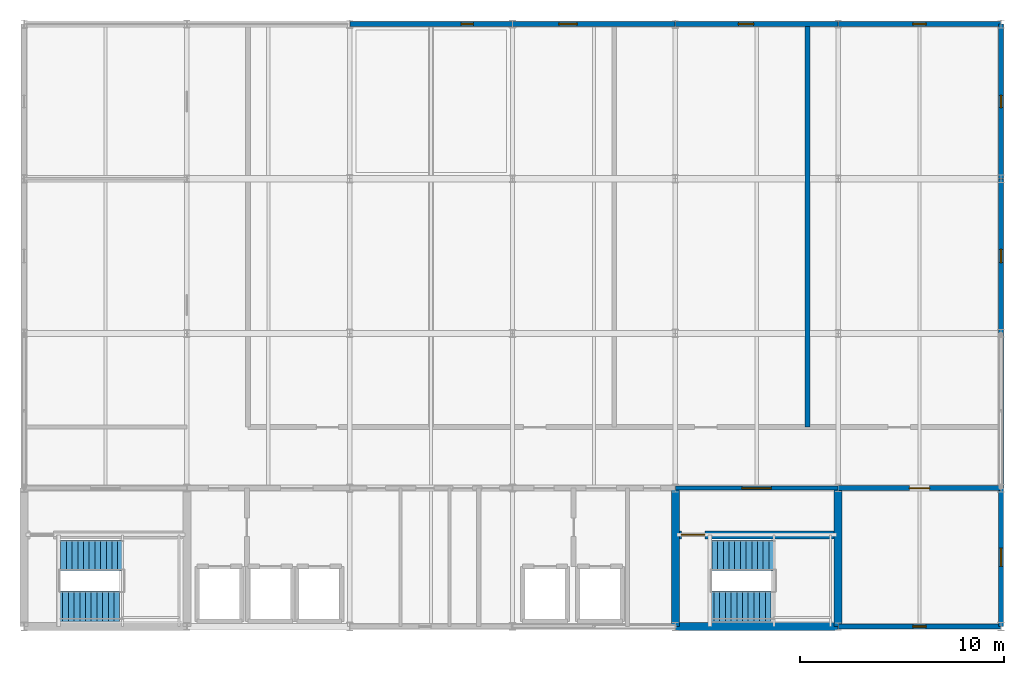
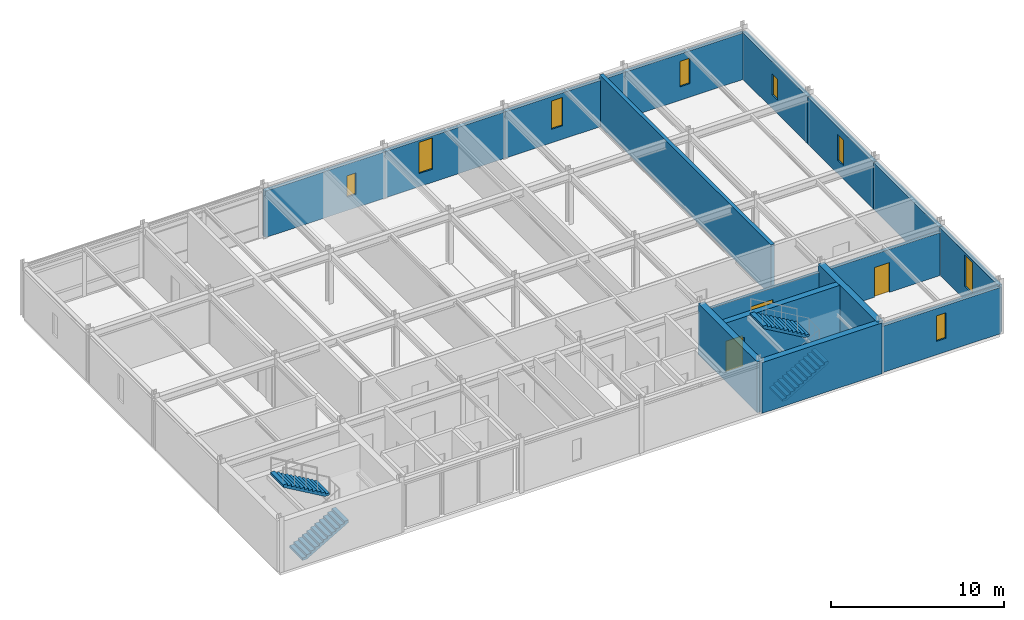
# One storey, part 8 of 9: 16 walls, 8 windows, 4 stair flights, 3 doors, 11 openings, 2 elements without a shape of their own.
"""IFC4 building model written with IfcOpenShell, lengths in metres."""

from ifc_helpers import new_model, si_unit, direction, frame, frame_2d, origin, place, context, subcontext, project, spatial, polyline, rectangle, outline, extrude, material, layer, layer_set, type_object, element, fill, aggregate, save


model = new_model("IFC4")

# Units and contexts
model_context = context("Model", 3, precision=1e-05, world=origin(), true_north=direction((0.0, 1.0)))
body_context = subcontext(model_context, "Body", "Model", "MODEL_VIEW")
ifc_project = project(units=[si_unit("LENGTHUNIT", "METRE"), si_unit("AREAUNIT", "SQUARE_METRE"), si_unit("VOLUMEUNIT", "CUBIC_METRE"), si_unit("PLANEANGLEUNIT", "RADIAN"), si_unit("MASSUNIT", "GRAM", prefix="KILO")], contexts=[model_context])

# Site, building, storey
site_placement = place(None, origin())
site = spatial("IfcSite", under=ifc_project, at=site_placement, CompositionType="ELEMENT")
building_placement = place(site_placement, origin())
building = spatial("IfcBuilding", under=site, at=building_placement, Name="Shalkamar Park Central Library", CompositionType="ELEMENT")
storey_placement = place(building_placement, frame((0.0, 0.0, 60.0)))
storey = spatial("IfcBuildingStorey", under=building, at=storey_placement, Name="L15", CompositionType="ELEMENT", Elevation=60.0)

# Wall, opening, window
ifc_material_1 = material(Name="Terracotta insulated masonry", Category="masonry")
ifc_layer_1 = layer(ifc_material_1, 0.260009765625)
ifc_layer_set_1 = layer_set([ifc_layer_1], Name="ArchiveInsulatedFacadeWall_260")
wall_type_1 = type_object("IfcWallType", Name="Archive Insulated Facade Wall 260", PredefinedType="SOLIDWALL", material=ifc_layer_set_1)
wall_1_placement = place(storey_placement, frame((205.006103515625, 248.39990234375, 0.0), z_axis=(0.0, 0.0, 1.0), x_axis=(1.0, 0.0, 0.0)))
wall_1 = element("IfcWall", 1, at=wall_1_placement, inside=storey, type_object=wall_type_1, Name="Exterior Facade Wall WL-EXT-L15-260", PredefinedType="SOLIDWALL", context=body_context, shape_type="SweptSolid", body=[
    extrude(rectangle(XDim=7.98779296875, YDim=0.260009765625, at=frame_2d((3.993896484375, 0.0))), origin(), (0.0, 0.0, 1.0), 3.26806640625),
])
opening_1_placement = place(wall_1_placement, frame((3.6689453125, 0.0, 0.949951171875)))
opening_1 = element("IfcOpeningElement", 2, at=opening_1_placement, cuts=wall_1, Name="Opening WN-19", PredefinedType="OPENING", context=body_context, shape_type="SweptSolid", body=[
    extrude(rectangle(XDim=0.64990234375, YDim=1.800048828125, at=frame_2d((0.324951171875, 0.89990234375))), frame((0.0, 0.14501953125, 0.0), z_axis=(0.0, -1.0, 0.0), x_axis=(1.0, 0.0, 0.0)), (0.0, 0.0, 1.0), 0.289794921875),
])
ifc_material_2 = material(Name="Thermally broken aluminium and triple low-e glass", Category="glass")
window_type_1 = type_object("IfcWindowType", Name="Archive Slit Window 650x1800", PartitioningType="SINGLE_PANEL", PredefinedType="WINDOW", material=ifc_material_2)
window_1_placement = place(opening_1_placement, origin())
window_1 = element("IfcWindow", 3, at=window_1_placement, inside=storey, type_object=window_type_1, Name="Facade Window WN-L15-190", OverallHeight=1.800048828125, OverallWidth=0.64990234375, PartitioningType="SINGLE_PANEL", PredefinedType="WINDOW", context=body_context, shape_type="SweptSolid", body=[
    extrude(rectangle(XDim=0.64990234375, YDim=1.800048828125, at=frame_2d((0.324951171875, 0.89990234375))), frame((0.0, 0.030029296875, 0.0), z_axis=(0.0, -1.0, 0.0), x_axis=(1.0, 0.0, 0.0)), (0.0, 0.0, 1.0), 0.06005859375),
])
fill(opening_1, window_1)

wall_2_placement = place(storey_placement, frame((181.006103515625, 278.0, 0.0), z_axis=(0.0, 0.0, 1.0), x_axis=(1.0, 0.0, 0.0)))
wall_2 = element("IfcWall", 4, at=wall_2_placement, inside=storey, type_object=wall_type_1, Name="Exterior Facade Wall WL-EXT-L15-261", PredefinedType="SOLIDWALL", context=body_context, shape_type="SweptSolid", body=[
    extrude(rectangle(XDim=7.98779296875, YDim=0.260009765625, at=frame_2d((3.993896484375, 0.0))), origin(), (0.0, 0.0, 1.0), 3.26806640625),
])
opening_2_placement = place(wall_2_placement, frame((5.466064453125, 0.0, 0.949951171875)))
opening_2 = element("IfcOpeningElement", 5, at=opening_2_placement, cuts=wall_2, Name="Opening WN-20", PredefinedType="OPENING", context=body_context, shape_type="SweptSolid", body=[
    extrude(rectangle(XDim=0.60009765625, YDim=1.5, at=frame_2d((0.300048828125, 0.75))), frame((0.0, 0.14501953125, 0.0), z_axis=(0.0, -1.0, 0.0), x_axis=(1.0, 0.0, 0.0)), (0.0, 0.0, 1.0), 0.289794921875),
])
window_type_2 = type_object("IfcWindowType", Name="Archive Slit Window 600x1500", PartitioningType="SINGLE_PANEL", PredefinedType="WINDOW", material=ifc_material_2)
window_2_placement = place(opening_2_placement, origin())
window_2 = element("IfcWindow", 6, at=window_2_placement, inside=storey, type_object=window_type_2, Name="Facade Window WN-L15-191", OverallHeight=1.5, OverallWidth=0.60009765625, PartitioningType="SINGLE_PANEL", PredefinedType="WINDOW", context=body_context, shape_type="SweptSolid", body=[
    extrude(rectangle(XDim=0.60009765625, YDim=1.5, at=frame_2d((0.300048828125, 0.75))), frame((0.0, 0.030029296875, 0.0), z_axis=(0.0, -1.0, 0.0), x_axis=(1.0, 0.0, 0.0)), (0.0, 0.0, 1.0), 0.06005859375),
])
fill(opening_2, window_2)

wall_3_placement = place(storey_placement, frame((189.006103515625, 278.0, 0.0), z_axis=(0.0, 0.0, 1.0), x_axis=(1.0, 0.0, 0.0)))
wall_3 = element("IfcWall", 7, at=wall_3_placement, inside=storey, type_object=wall_type_1, Name="Exterior Facade Wall WL-EXT-L15-262", PredefinedType="SOLIDWALL", context=body_context, shape_type="SweptSolid", body=[
    extrude(rectangle(XDim=7.98779296875, YDim=0.260009765625, at=frame_2d((3.993896484375, 0.0))), origin(), (0.0, 0.0, 1.0), 3.26806640625),
])
opening_3_placement = place(wall_3_placement, frame((2.27197265625, 0.0, 0.927978515625)))
opening_3 = element("IfcOpeningElement", 8, at=opening_3_placement, cuts=wall_3, Name="Opening WN-17", PredefinedType="OPENING", context=body_context, shape_type="SweptSolid", body=[
    extrude(rectangle(XDim=0.89990234375, YDim=2.199951171875, at=frame_2d((0.449951171875, 1.10009765625))), frame((0.0, 0.14501953125, 0.0), z_axis=(0.0, -1.0, 0.0), x_axis=(1.0, 0.0, 0.0)), (0.0, 0.0, 1.0), 0.289794921875),
])
window_type_3 = type_object("IfcWindowType", Name="Archive Slit Window 900x2200", PartitioningType="SINGLE_PANEL", PredefinedType="WINDOW", material=ifc_material_2)
window_3_placement = place(opening_3_placement, origin())
window_3 = element("IfcWindow", 9, at=window_3_placement, inside=storey, type_object=window_type_3, Name="Facade Window WN-L15-192", OverallHeight=2.199951171875, OverallWidth=0.89990234375, PartitioningType="SINGLE_PANEL", PredefinedType="WINDOW", context=body_context, shape_type="SweptSolid", body=[
    extrude(rectangle(XDim=0.89990234375, YDim=2.199951171875, at=frame_2d((0.449951171875, 1.10009765625))), frame((0.0, 0.030029296875, 0.0), z_axis=(0.0, -1.0, 0.0), x_axis=(1.0, 0.0, 0.0)), (0.0, 0.0, 1.0), 0.06005859375),
])
fill(opening_3, window_3)

wall_4_placement = place(storey_placement, frame((197.006103515625, 278.0, 0.0), z_axis=(0.0, 0.0, 1.0), x_axis=(1.0, 0.0, 0.0)))
wall_4 = element("IfcWall", 10, at=wall_4_placement, inside=storey, type_object=wall_type_1, Name="Exterior Facade Wall WL-EXT-L15-263", PredefinedType="SOLIDWALL", context=body_context, shape_type="SweptSolid", body=[
    extrude(rectangle(XDim=7.98779296875, YDim=0.260009765625, at=frame_2d((3.993896484375, 0.0))), origin(), (0.0, 0.0, 1.0), 3.26806640625),
])
opening_4_placement = place(wall_4_placement, frame((3.096923828125, 0.0, 0.949951171875)))
opening_4 = element("IfcOpeningElement", 11, at=opening_4_placement, cuts=wall_4, Name="Opening WN-18", PredefinedType="OPENING", context=body_context, shape_type="SweptSolid", body=[
    extrude(rectangle(XDim=0.75, YDim=2.0, at=frame_2d((0.375, 1.0))), frame((0.0, 0.14501953125, 0.0), z_axis=(0.0, -1.0, 0.0), x_axis=(1.0, 0.0, 0.0)), (0.0, 0.0, 1.0), 0.289794921875),
])
window_type_4 = type_object("IfcWindowType", Name="Archive Slit Window 750x2000", PartitioningType="SINGLE_PANEL", PredefinedType="WINDOW", material=ifc_material_2)
window_4_placement = place(opening_4_placement, origin())
window_4 = element("IfcWindow", 12, at=window_4_placement, inside=storey, type_object=window_type_4, Name="Facade Window WN-L15-193", OverallHeight=2.0, OverallWidth=0.75, PartitioningType="SINGLE_PANEL", PredefinedType="WINDOW", context=body_context, shape_type="SweptSolid", body=[
    extrude(rectangle(XDim=0.75, YDim=2.0, at=frame_2d((0.375, 1.0))), frame((0.0, 0.030029296875, 0.0), z_axis=(0.0, -1.0, 0.0), x_axis=(1.0, 0.0, 0.0)), (0.0, 0.0, 1.0), 0.06005859375),
])
fill(opening_4, window_4)

wall_5_placement = place(storey_placement, frame((205.006103515625, 278.0, 0.0), z_axis=(0.0, 0.0, 1.0), x_axis=(1.0, 0.0, 0.0)))
wall_5 = element("IfcWall", 13, at=wall_5_placement, inside=storey, type_object=wall_type_1, Name="Exterior Facade Wall WL-EXT-L15-264", PredefinedType="SOLIDWALL", context=body_context, shape_type="SweptSolid", body=[
    extrude(rectangle(XDim=7.98779296875, YDim=0.260009765625, at=frame_2d((3.993896484375, 0.0))), origin(), (0.0, 0.0, 1.0), 3.26806640625),
])
opening_5_placement = place(wall_5_placement, frame((3.6689453125, 0.0, 0.949951171875)))
opening_5 = element("IfcOpeningElement", 14, at=opening_5_placement, cuts=wall_5, Name="Opening WN-19", PredefinedType="OPENING", context=body_context, shape_type="SweptSolid", body=[
    extrude(rectangle(XDim=0.64990234375, YDim=1.800048828125, at=frame_2d((0.324951171875, 0.89990234375))), frame((0.0, 0.14501953125, 0.0), z_axis=(0.0, -1.0, 0.0), x_axis=(1.0, 0.0, 0.0)), (0.0, 0.0, 1.0), 0.289794921875),
])
window_5_placement = place(opening_5_placement, origin())
window_5 = element("IfcWindow", 15, at=window_5_placement, inside=storey, type_object=window_type_1, Name="Facade Window WN-L15-194", OverallHeight=1.800048828125, OverallWidth=0.64990234375, PartitioningType="SINGLE_PANEL", PredefinedType="WINDOW", context=body_context, shape_type="SweptSolid", body=[
    extrude(rectangle(XDim=0.64990234375, YDim=1.800048828125, at=frame_2d((0.324951171875, 0.89990234375))), frame((0.0, 0.030029296875, 0.0), z_axis=(0.0, -1.0, 0.0), x_axis=(1.0, 0.0, 0.0)), (0.0, 0.0, 1.0), 0.06005859375),
])
fill(opening_5, window_5)

wall_6_placement = place(storey_placement, frame((213.0, 248.406005859375, 0.0), z_axis=(0.0, 0.0, 1.0), x_axis=(0.0, 1.0, 0.0)))
wall_6 = element("IfcWall", 16, at=wall_6_placement, inside=storey, type_object=wall_type_1, Name="Exterior Facade Wall WL-EXT-L15-268", PredefinedType="SOLIDWALL", context=body_context, shape_type="SweptSolid", body=[
    extrude(rectangle(XDim=6.7880859375, YDim=0.260009765625, at=frame_2d((3.39404296875, 0.0))), origin(), (0.0, 0.0, 1.0), 3.347900390625),
])
opening_6_placement = place(wall_6_placement, frame((2.944091796875, 0.0, 0.949951171875)))
opening_6 = element("IfcOpeningElement", 17, at=opening_6_placement, cuts=wall_6, Name="Opening WN-17", PredefinedType="OPENING", context=body_context, shape_type="SweptSolid", body=[
    extrude(rectangle(XDim=0.89990234375, YDim=2.199951171875, at=frame_2d((0.449951171875, 1.10009765625))), frame((0.0, 0.14501953125, 0.0), z_axis=(0.0, -1.0, 0.0), x_axis=(1.0, 0.0, 0.0)), (0.0, 0.0, 1.0), 0.289794921875),
])
window_6_placement = place(opening_6_placement, origin())
window_6 = element("IfcWindow", 18, at=window_6_placement, inside=storey, type_object=window_type_3, Name="Facade Window WN-L15-197", OverallHeight=2.199951171875, OverallWidth=0.89990234375, PartitioningType="SINGLE_PANEL", PredefinedType="WINDOW", context=body_context, shape_type="SweptSolid", body=[
    extrude(rectangle(XDim=0.89990234375, YDim=2.199951171875, at=frame_2d((0.449951171875, 1.10009765625))), frame((0.0, 0.030029296875, 0.0), z_axis=(0.0, -1.0, 0.0), x_axis=(1.0, 0.0, 0.0)), (0.0, 0.0, 1.0), 0.06005859375),
])
fill(opening_6, window_6)

# Wall
wall_7_placement = place(storey_placement, frame((213.0, 255.2060546875, 0.0), z_axis=(0.0, 0.0, 1.0), x_axis=(0.0, 1.0, 0.0)))
element("IfcWall", 19, at=wall_7_placement, inside=storey, type_object=wall_type_1, Name="Exterior Facade Wall WL-EXT-L15-269", PredefinedType="SOLIDWALL", context=body_context, shape_type="SweptSolid", body=[
    extrude(rectangle(XDim=7.587890625, YDim=0.260009765625, at=frame_2d((3.7939453125, 0.0))), origin(), (0.0, 0.0, 1.0), 3.30810546875),
])

# Wall, opening, window
wall_8_placement = place(storey_placement, frame((213.0, 262.805908203125, 0.0), z_axis=(0.0, 0.0, 1.0), x_axis=(0.0, 1.0, 0.0)))
wall_8 = element("IfcWall", 20, at=wall_8_placement, inside=storey, type_object=wall_type_1, Name="Exterior Facade Wall WL-EXT-L15-270", PredefinedType="SOLIDWALL", context=body_context, shape_type="SweptSolid", body=[
    extrude(rectangle(XDim=7.588134765625, YDim=0.260009765625, at=frame_2d((3.7939453125, 0.0))), origin(), (0.0, 0.0, 1.0), 3.30810546875),
])
opening_7_placement = place(wall_8_placement, frame((3.468994140625, 0.0, 0.949951171875)))
opening_7 = element("IfcOpeningElement", 21, at=opening_7_placement, cuts=wall_8, Name="Opening WN-19", PredefinedType="OPENING", context=body_context, shape_type="SweptSolid", body=[
    extrude(rectangle(XDim=0.64990234375, YDim=1.800048828125, at=frame_2d((0.324951171875, 0.89990234375))), frame((0.0, 0.14501953125, 0.0), z_axis=(0.0, -1.0, 0.0), x_axis=(1.0, 0.0, 0.0)), (0.0, 0.0, 1.0), 0.289794921875),
])
window_7_placement = place(opening_7_placement, origin())
window_7 = element("IfcWindow", 22, at=window_7_placement, inside=storey, type_object=window_type_1, Name="Facade Window WN-L15-198", OverallHeight=1.800048828125, OverallWidth=0.64990234375, PartitioningType="SINGLE_PANEL", PredefinedType="WINDOW", context=body_context, shape_type="SweptSolid", body=[
    extrude(rectangle(XDim=0.64990234375, YDim=1.800048828125, at=frame_2d((0.324951171875, 0.89990234375))), frame((0.0, 0.030029296875, 0.0), z_axis=(0.0, -1.0, 0.0), x_axis=(1.0, 0.0, 0.0)), (0.0, 0.0, 1.0), 0.06005859375),
])
fill(opening_7, window_7)

wall_9_placement = place(storey_placement, frame((213.0, 270.406005859375, 0.0), z_axis=(0.0, 0.0, 1.0), x_axis=(0.0, 1.0, 0.0)))
wall_9 = element("IfcWall", 23, at=wall_9_placement, inside=storey, type_object=wall_type_1, Name="Exterior Facade Wall WL-EXT-L15-271", PredefinedType="SOLIDWALL", context=body_context, shape_type="SweptSolid", body=[
    extrude(rectangle(XDim=7.587890625, YDim=0.260009765625, at=frame_2d((3.7939453125, 0.0))), origin(), (0.0, 0.0, 1.0), 3.30810546875),
])
opening_8_placement = place(wall_9_placement, frame((3.493896484375, 0.0, 0.949951171875)))
opening_8 = element("IfcOpeningElement", 24, at=opening_8_placement, cuts=wall_9, Name="Opening WN-20", PredefinedType="OPENING", context=body_context, shape_type="SweptSolid", body=[
    extrude(rectangle(XDim=0.60009765625, YDim=1.5, at=frame_2d((0.300048828125, 0.75))), frame((0.0, 0.14501953125, 0.0), z_axis=(0.0, -1.0, 0.0), x_axis=(1.0, 0.0, 0.0)), (0.0, 0.0, 1.0), 0.289794921875),
])
window_8_placement = place(opening_8_placement, origin())
window_8 = element("IfcWindow", 25, at=window_8_placement, inside=storey, type_object=window_type_2, Name="Facade Window WN-L15-199", OverallHeight=1.5, OverallWidth=0.60009765625, PartitioningType="SINGLE_PANEL", PredefinedType="WINDOW", context=body_context, shape_type="SweptSolid", body=[
    extrude(rectangle(XDim=0.60009765625, YDim=1.5, at=frame_2d((0.300048828125, 0.75))), frame((0.0, 0.030029296875, 0.0), z_axis=(0.0, -1.0, 0.0), x_axis=(1.0, 0.0, 0.0)), (0.0, 0.0, 1.0), 0.06005859375),
])
fill(opening_8, window_8)

# Wall, opening, door
ifc_material_3 = material(Name="Reinforced fire-compartment masonry wall", Category="masonry")
ifc_layer_2 = layer(ifc_material_3, 0.239990234375)
ifc_layer_set_2 = layer_set([ifc_layer_2], Name="CompartmentWall_240")
wall_type_2 = type_object("IfcWallType", Name="Compartment Wall 240", PredefinedType="PARTITIONING", material=ifc_layer_set_2)
wall_10_placement = place(storey_placement, frame((205.0, 255.199951171875, 0.0), z_axis=(0.0, 0.0, 1.0), x_axis=(1.0, 0.0, 0.0)))
wall_10 = element("IfcWall", 26, at=wall_10_placement, inside=storey, type_object=wall_type_2, Name="Interior Partition WL-INT-L15-010", PredefinedType="PARTITIONING", context=body_context, shape_type="SweptSolid", body=[
    extrude(rectangle(XDim=8.0, YDim=0.239990234375, at=frame_2d((4.0, 0.0))), origin(), (0.0, 0.0, 1.0), 3.028076171875),
])
opening_9_placement = place(wall_10_placement, frame((3.5, 0.0, 0.0)))
opening_9 = element("IfcOpeningElement", 27, at=opening_9_placement, cuts=wall_10, Name="Opening DR-L15-012", PredefinedType="OPENING", context=body_context, shape_type="SweptSolid", body=[
    extrude(rectangle(XDim=1.0, YDim=2.10009765625, at=frame_2d((0.5, 1.050048828125))), frame((0.0, 0.134765625, 0.0), z_axis=(0.0, -1.0, 0.0), x_axis=(1.0, 0.0, 0.0)), (0.0, 0.0, 1.0), 0.269775390625),
])
ifc_material_4 = material(Name="Steel S355", Category="steel")
door_type_1 = type_object("IfcDoorType", Name="Fire Door Single 1000x2100", OperationType="NOTDEFINED", PredefinedType="DOOR", material=ifc_material_4)
door_1_placement = place(opening_9_placement, frame((1.0, 0.0, 0.0), z_axis=(0.0, 0.0, 1.0), x_axis=(-1.0, 0.0, 0.0)))
door_1 = element("IfcDoor", 28, at=door_1_placement, inside=storey, type_object=door_type_1, Name="L15 Archive Registry Office Door", OperationType="SINGLE_SWING_LEFT", OverallHeight=2.10009765625, OverallWidth=1.0, PredefinedType="DOOR", context=body_context, shape_type="SweptSolid", body=[
    extrude(rectangle(XDim=1.0, YDim=2.10009765625, at=frame_2d((0.5, 1.050048828125))), frame((0.0, 0.02490234375, 0.0), z_axis=(0.0, -1.0, 0.0), x_axis=(1.0, 0.0, 0.0)), (0.0, 0.0, 1.0), 0.050048828125),
])
fill(opening_9, door_1)

# Wall
wall_11_placement = place(storey_placement, frame((203.5, 258.199951171875, 0.0), z_axis=(0.0, 0.0, 1.0), x_axis=(0.0, 1.0, 0.0)))
element("IfcWall", 29, at=wall_11_placement, inside=storey, type_object=wall_type_2, Name="Interior Partition WL-INT-L15-018", PredefinedType="PARTITIONING", context=body_context, shape_type="SweptSolid", body=[
    extrude(rectangle(XDim=19.800048828125, YDim=0.239990234375, at=frame_2d((9.89990234375, 0.0))), origin(), (0.0, 0.0, 1.0), 3.580078125),
])

# Wall, opening, door
ifc_material_5 = material(Name="Fire-rated corridor partition wall", Category="masonry")
ifc_layer_3 = layer(ifc_material_5, 0.199951171875)
ifc_layer_set_3 = layer_set([ifc_layer_3], Name="CorridorFireWall_200")
wall_type_3 = type_object("IfcWallType", Name="Corridor Fire Wall 200", PredefinedType="PARTITIONING", material=ifc_layer_set_3)
wall_12_placement = place(storey_placement, frame((197.0, 255.199951171875, 0.0), z_axis=(0.0, 0.0, 1.0), x_axis=(1.0, 0.0, 0.0)))
wall_12 = element("IfcWall", 30, at=wall_12_placement, inside=storey, type_object=wall_type_3, Name="CORE-T2 Vestibule North Wall (L15)", PredefinedType="PARTITIONING", context=body_context, shape_type="SweptSolid", body=[
    extrude(rectangle(XDim=8.0, YDim=0.199951171875, at=frame_2d((4.0, 0.0))), origin(), (0.0, 0.0, 1.0), 3.028076171875),
])
opening_10_placement = place(wall_12_placement, frame((3.27490234375, 0.0, 0.0)))
opening_10 = element("IfcOpeningElement", 31, at=opening_10_placement, cuts=wall_12, Name="Opening DR-ST-T2-L15-VEST", PredefinedType="OPENING", context=body_context, shape_type="SweptSolid", body=[
    extrude(rectangle(XDim=1.449951171875, YDim=2.199951171875, at=frame_2d((0.72509765625, 1.10009765625))), frame((0.0, 0.11474609375, 0.0), z_axis=(0.0, -1.0, 0.0), x_axis=(1.0, 0.0, 0.0)), (0.0, 0.0, 1.0), 0.229736328125),
])
door_type_2 = type_object("IfcDoorType", Name="Stair Vestibule Door 1450x2200", OperationType="DOUBLE_DOOR_SINGLE_SWING", PredefinedType="DOOR", material=ifc_material_4)
door_2_placement = place(opening_10_placement, frame((1.449951171875, 0.0, 0.0), z_axis=(0.0, 0.0, 1.0), x_axis=(-1.0, 0.0, 0.0)))
door_2 = element("IfcDoor", 32, at=door_2_placement, inside=storey, type_object=door_type_2, Name="Protected Stair ST-T2 Vestibule Door (L15)", OperationType="DOUBLE_DOOR_SINGLE_SWING", OverallHeight=2.199951171875, OverallWidth=1.449951171875, PredefinedType="DOOR", context=body_context, shape_type="SweptSolid", body=[
    extrude(rectangle(XDim=1.449951171875, YDim=2.199951171875, at=frame_2d((0.72509765625, 1.10009765625))), frame((0.0, 0.02490234375, 0.0), z_axis=(0.0, -1.0, 0.0), x_axis=(1.0, 0.0, 0.0)), (0.0, 0.0, 1.0), 0.050048828125),
])
fill(opening_10, door_2)

# Walls
ifc_material_6 = material(Name="Concrete C40/50", Category="concrete")
ifc_layer_4 = layer(ifc_material_6, 0.39990234375)
ifc_layer_set_4 = layer_set([ifc_layer_4], Name="Concrete C40/50")
wall_type_4 = type_object("IfcWallType", Name="Tower Core Shear Wall 400", PredefinedType="SHEAR", material=ifc_layer_set_4)
wall_13_placement = place(storey_placement, frame((197.0, 248.39990234375, 0.0), z_axis=(0.0, 0.0, 1.0), x_axis=(1.0, 0.0, 0.0)))
element("IfcWall", 33, at=wall_13_placement, inside=storey, type_object=wall_type_4, Name="CORE-T2 South Shear Wall (L15)", PredefinedType="SHEAR", context=body_context, shape_type="SweptSolid", body=[
    extrude(rectangle(XDim=8.0, YDim=0.39990234375, at=frame_2d((4.0, 0.0))), origin(), (0.0, 0.0, 1.0), 3.580078125),
])
for number, where, z_axis, x_axis, name in (
    (34, (197.0, 248.39990234375, 0.0), (0.0, 0.0, 1.0), (0.0, 1.0, 0.0), "CORE-T2 West Shear Wall (L15)"),
    (35, (205.0, 248.39990234375, 0.0), (0.0, 0.0, 1.0), (0.0, 1.0, 0.0), "CORE-T2 East Shear Wall (L15)"),
):
    element("IfcWall", number, at=place(storey_placement, frame(where, z_axis=z_axis, x_axis=x_axis)), inside=storey, type_object=wall_type_4, Name=name, PredefinedType="SHEAR", context=body_context, shape_type="SweptSolid", body=[
        extrude(rectangle(XDim=6.800048828125, YDim=0.39990234375, at=frame_2d((3.39990234375, 0.0))), origin(), (0.0, 0.0, 1.0), 3.580078125),
    ])

# Wall, opening, door
wall_14_placement = place(storey_placement, frame((197.0, 252.89990234375, 0.0), z_axis=(0.0, 0.0, 1.0), x_axis=(1.0, 0.0, 0.0)))
wall_14 = element("IfcWall", 36, at=wall_14_placement, inside=storey, type_object=wall_type_4, Name="CORE-T2 Stairwell Wall (L15)", PredefinedType="SHEAR", context=body_context, shape_type="SweptSolid", body=[
    extrude(rectangle(XDim=8.0, YDim=0.39990234375, at=frame_2d((4.0, 0.0))), origin(), (0.0, 0.0, 1.0), 3.580078125),
])
opening_11_placement = place(wall_14_placement, frame((0.300048828125, 0.0, 0.0)))
opening_11 = element("IfcOpeningElement", 37, at=opening_11_placement, cuts=wall_14, Name="Opening DR-ST-T2-L15-IN", PredefinedType="OPENING", context=body_context, shape_type="SweptSolid", body=[
    extrude(rectangle(XDim=1.14990234375, YDim=2.14990234375, at=frame_2d((0.574951171875, 1.074951171875))), frame((0.0, 0.21484375, 0.0), z_axis=(0.0, -1.0, 0.0), x_axis=(1.0, 0.0, 0.0)), (0.0, 0.0, 1.0), 0.4296875),
])
door_type_3 = type_object("IfcDoorType", Name="Stair Core Exit Door 1150x2150", OperationType="NOTDEFINED", PredefinedType="DOOR", material=ifc_material_4)
door_3_placement = place(opening_11_placement, frame((1.14990234375, 0.0, 0.0), z_axis=(0.0, 0.0, 1.0), x_axis=(-1.0, 0.0, 0.0)))
door_3 = element("IfcDoor", 38, at=door_3_placement, inside=storey, type_object=door_type_3, Name="Protected Stair ST-T2 Exit Door (L15)", OperationType="SINGLE_SWING_RIGHT", OverallHeight=2.14990234375, OverallWidth=1.14990234375, PredefinedType="DOOR", context=body_context, shape_type="SweptSolid", body=[
    extrude(rectangle(XDim=1.14990234375, YDim=2.14990234375, at=frame_2d((0.574951171875, 1.074951171875))), frame((0.0, 0.02490234375, 0.0), z_axis=(0.0, -1.0, 0.0), x_axis=(1.0, 0.0, 0.0)), (0.0, 0.0, 1.0), 0.050048828125),
])
fill(opening_11, door_3)

# Stair, stair flights
ifc_material_7 = material(Name="Concrete C35/45", Category="concrete")
stair_type = type_object("IfcStairType", Name="Protected Dog Leg Stair 150x390", PredefinedType="TWO_STRAIGHT_RUN_STAIR", material=ifc_material_7)
stair_1_placement = place(storey_placement, origin())
stair_1 = element("IfcStair", 39, at=stair_1_placement, inside=storey, type_object=stair_type, Name="Protected Core Stair ST-T1-L15", PredefinedType="TWO_STRAIGHT_RUN_STAIR")
stair_flight_type = type_object("IfcStairFlightType", Name="Straight Stair Flight 150x390", PredefinedType="STRAIGHT", material=ifc_material_7)
stair_flight_1_placement = place(storey_placement, frame((166.6201171875, 249.389892578125, 0.0), z_axis=(0.0, 0.0, 1.0), x_axis=(1.0, 0.0, 0.0)))
stair_flight_1 = element("IfcStairFlight", 40, at=stair_flight_1_placement, type_object=stair_flight_type, Name="ST-T1-L15 flight 1", NumberOfRisers=12, NumberOfTreads=11, PredefinedType="STRAIGHT", RiserHeight=0.1625, TreadLength=0.28, context=body_context, shape_type="SweptSolid", body=[
    extrude(outline(polyline([(0.0, 0.0), (0.0, 0.16259765625), (0.280029296875, 0.16259765625), (0.280029296875, 0.324951171875), (0.56005859375, 0.324951171875), (0.56005859375, 0.487548828125), (0.840087890625, 0.487548828125), (0.840087890625, 0.64990234375), (1.1201171875, 0.64990234375), (1.1201171875, 0.8125), (1.39990234375, 0.8125), (1.39990234375, 0.97509765625), (1.679931640625, 0.97509765625), (1.679931640625, 1.137451171875), (1.9599609375, 1.137451171875), (1.9599609375, 1.300048828125), (2.239990234375, 1.300048828125), (2.239990234375, 1.46240234375), (2.52001953125, 1.46240234375), (2.52001953125, 1.625), (2.800048828125, 1.625), (2.800048828125, 1.78759765625), (3.080078125, 1.78759765625), (3.080078125, 1.949951171875), (3.080078125, 1.6142578125), (0.298583984375, 0.0), (0.0, 0.0)])), frame((0.0, 0.75, 0.0), z_axis=(0.0, -1.0, 0.0), x_axis=(1.0, 0.0, 0.0)), (0.0, 0.0, 1.0), 1.5),
])
stair_flight_2_placement = place(storey_placement, frame((169.8798828125, 251.909912109375, 1.949951171875), z_axis=(0.0, 0.0, 1.0), x_axis=(-1.0, 0.0, 0.0)))
stair_flight_2 = element("IfcStairFlight", 41, at=stair_flight_2_placement, type_object=stair_flight_type, Name="ST-T1-L15 flight 2", NumberOfRisers=12, NumberOfTreads=11, PredefinedType="STRAIGHT", RiserHeight=0.1625, TreadLength=0.28, context=body_context, shape_type="SweptSolid", body=[
    extrude(outline(polyline([(0.0, 0.0), (0.0, 0.16259765625), (0.280029296875, 0.16259765625), (0.280029296875, 0.324951171875), (0.56005859375, 0.324951171875), (0.56005859375, 0.487548828125), (0.840087890625, 0.487548828125), (0.840087890625, 0.64990234375), (1.1201171875, 0.64990234375), (1.1201171875, 0.8125), (1.39990234375, 0.8125), (1.39990234375, 0.97509765625), (1.679931640625, 0.97509765625), (1.679931640625, 1.137451171875), (1.9599609375, 1.137451171875), (1.9599609375, 1.300048828125), (2.239990234375, 1.300048828125), (2.239990234375, 1.46240234375), (2.52001953125, 1.46240234375), (2.52001953125, 1.625), (2.800048828125, 1.625), (2.800048828125, 1.78759765625), (3.080078125, 1.78759765625), (3.080078125, 1.949951171875), (3.080078125, 1.6142578125), (0.298583984375, 0.0), (0.0, 0.0)])), frame((0.0, 0.75, 0.0), z_axis=(0.0, -1.0, 0.0), x_axis=(1.0, 0.0, 0.0)), (0.0, 0.0, 1.0), 1.5),
])
aggregate(stair_1, [stair_flight_1, stair_flight_2])

stair_2_placement = place(storey_placement, origin())
stair_2 = element("IfcStair", 42, at=stair_2_placement, inside=storey, type_object=stair_type, Name="Protected Core Stair ST-T2-L15", PredefinedType="TWO_STRAIGHT_RUN_STAIR")
stair_flight_3_placement = place(storey_placement, frame((198.6201171875, 249.389892578125, 0.0), z_axis=(0.0, 0.0, 1.0), x_axis=(1.0, 0.0, 0.0)))
stair_flight_3 = element("IfcStairFlight", 43, at=stair_flight_3_placement, type_object=stair_flight_type, Name="ST-T2-L15 flight 1", NumberOfRisers=12, NumberOfTreads=11, PredefinedType="STRAIGHT", RiserHeight=0.1625, TreadLength=0.28, context=body_context, shape_type="SweptSolid", body=[
    extrude(outline(polyline([(0.0, 0.0), (0.0, 0.16259765625), (0.280029296875, 0.16259765625), (0.280029296875, 0.324951171875), (0.56005859375, 0.324951171875), (0.56005859375, 0.487548828125), (0.840087890625, 0.487548828125), (0.840087890625, 0.64990234375), (1.1201171875, 0.64990234375), (1.1201171875, 0.8125), (1.39990234375, 0.8125), (1.39990234375, 0.97509765625), (1.679931640625, 0.97509765625), (1.679931640625, 1.137451171875), (1.9599609375, 1.137451171875), (1.9599609375, 1.300048828125), (2.239990234375, 1.300048828125), (2.239990234375, 1.46240234375), (2.52001953125, 1.46240234375), (2.52001953125, 1.625), (2.800048828125, 1.625), (2.800048828125, 1.78759765625), (3.080078125, 1.78759765625), (3.080078125, 1.949951171875), (3.080078125, 1.6142578125), (0.298583984375, 0.0), (0.0, 0.0)])), frame((0.0, 0.75, 0.0), z_axis=(0.0, -1.0, 0.0), x_axis=(1.0, 0.0, 0.0)), (0.0, 0.0, 1.0), 1.5),
])
stair_flight_4_placement = place(storey_placement, frame((201.8798828125, 251.909912109375, 1.949951171875), z_axis=(0.0, 0.0, 1.0), x_axis=(-1.0, 0.0, 0.0)))
stair_flight_4 = element("IfcStairFlight", 44, at=stair_flight_4_placement, type_object=stair_flight_type, Name="ST-T2-L15 flight 2", NumberOfRisers=12, NumberOfTreads=11, PredefinedType="STRAIGHT", RiserHeight=0.1625, TreadLength=0.28, context=body_context, shape_type="SweptSolid", body=[
    extrude(outline(polyline([(0.0, 0.0), (0.0, 0.16259765625), (0.280029296875, 0.16259765625), (0.280029296875, 0.324951171875), (0.56005859375, 0.324951171875), (0.56005859375, 0.487548828125), (0.840087890625, 0.487548828125), (0.840087890625, 0.64990234375), (1.1201171875, 0.64990234375), (1.1201171875, 0.8125), (1.39990234375, 0.8125), (1.39990234375, 0.97509765625), (1.679931640625, 0.97509765625), (1.679931640625, 1.137451171875), (1.9599609375, 1.137451171875), (1.9599609375, 1.300048828125), (2.239990234375, 1.300048828125), (2.239990234375, 1.46240234375), (2.52001953125, 1.46240234375), (2.52001953125, 1.625), (2.800048828125, 1.625), (2.800048828125, 1.78759765625), (3.080078125, 1.78759765625), (3.080078125, 1.949951171875), (3.080078125, 1.6142578125), (0.298583984375, 0.0), (0.0, 0.0)])), frame((0.0, 0.75, 0.0), z_axis=(0.0, -1.0, 0.0), x_axis=(1.0, 0.0, 0.0)), (0.0, 0.0, 1.0), 1.5),
])
aggregate(stair_2, [stair_flight_3, stair_flight_4])

save(model, "model.ifc")
